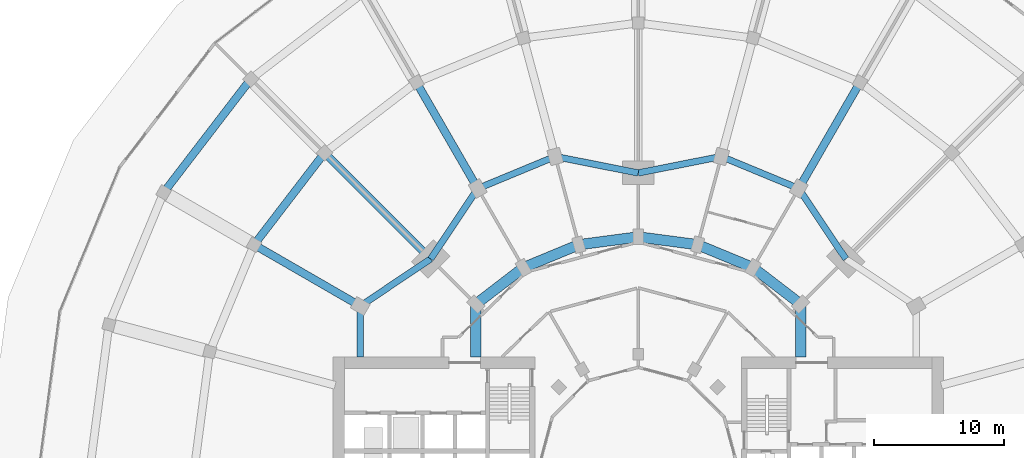
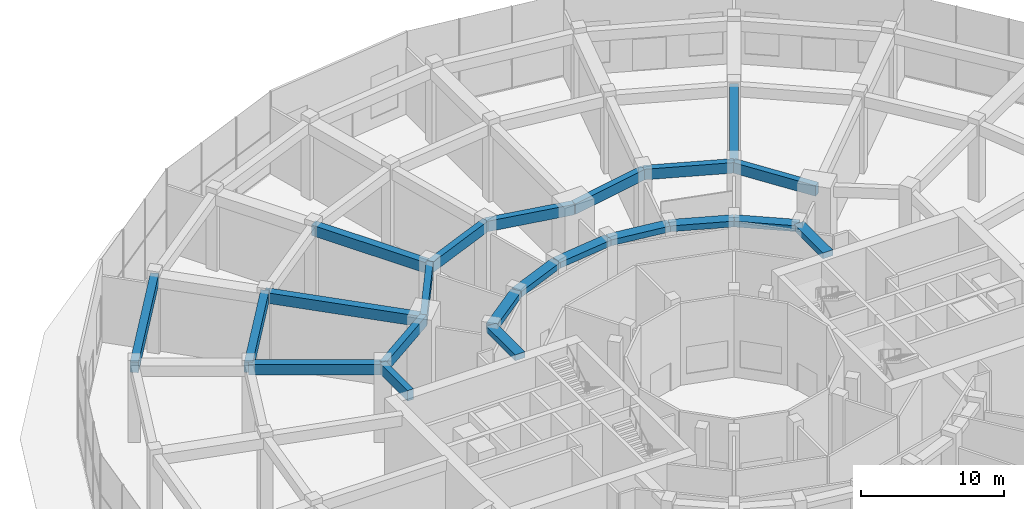
# One storey, part 12 of 31: 22 beams.
"""IFC4 building model written with IfcOpenShell, lengths in metres."""

from ifc_helpers import new_model, si_unit, direction, frame, origin, origin_2d, place, context, subcontext, project, spatial, rectangle, extrude, material, material_profile, profile_set, type_object, element, save


model = new_model("IFC4")

# Units and contexts
model_context = context("Model", 3, precision=1e-05, world=origin(), true_north=direction((0.0, 1.0)))
body_context = subcontext(model_context, "Body", "Model", "MODEL_VIEW")
ifc_project = project(units=[si_unit("LENGTHUNIT", "METRE"), si_unit("AREAUNIT", "SQUARE_METRE"), si_unit("VOLUMEUNIT", "CUBIC_METRE"), si_unit("PLANEANGLEUNIT", "RADIAN"), si_unit("MASSUNIT", "GRAM", prefix="KILO")], contexts=[model_context])

# Site, building, storey
site_placement = place(None, origin())
site = spatial("IfcSite", under=ifc_project, at=site_placement, CompositionType="ELEMENT")
building_placement = place(site_placement, origin())
building = spatial("IfcBuilding", under=site, at=building_placement, Name="Torre Brocal", CompositionType="ELEMENT")
storey_placement = place(building_placement, origin())
storey = spatial("IfcBuildingStorey", under=building, at=storey_placement, Name="L00", CompositionType="ELEMENT", Elevation=0.0)

# Beams
ifc_material_1 = material(Name="Concrete C50", Category="concrete")
ifc_material_profile_1 = material_profile(ifc_material_1, rectangle(XDim=0.60009765625, YDim=0.89990234375, at=origin_2d()), Name="RC 600X900")
ifc_profile_set_1 = profile_set([ifc_material_profile_1], Name="Concrete C50")
beam_type_1 = type_object("IfcBeamType", Name="RC BEAM 600X900 C50 TOP 6550", PredefinedType="BEAM", material=ifc_profile_set_1)
beam_1_placement = place(storey_placement, frame((50.301513671875, 104.698486328125, 6.10009765625), z_axis=(-0.608760122032, -0.793354343168, 0.0), x_axis=(0.793354343168, -0.608760122032, 0.0)))
element("IfcBeam", 1, at=beam_1_placement, inside=storey, type_object=beam_type_1, Name="Beam BT-07", PredefinedType="BEAM", context=body_context, shape_type="SweptSolid", body=[
    extrude(rectangle(XDim=0.60009765625, YDim=0.89990234375, at=origin_2d()), origin(), (0.0, 0.0, 1.0), 10.964111328125),
])
beam_2_placement = place(storey_placement, frame((55.958251953125, 99.041748046875, 6.10009765625), z_axis=(-0.608743902882, -0.793366788253, 0.0), x_axis=(0.793366788253, -0.608743902882, 0.0)))
element("IfcBeam", 2, at=beam_2_placement, inside=storey, type_object=beam_type_1, Name="Beam BT-07", PredefinedType="BEAM", context=body_context, shape_type="SweptSolid", body=[
    extrude(rectangle(XDim=0.60009765625, YDim=0.89990234375, at=origin_2d()), origin(), (0.0, 0.0, 1.0), 8.875732421875),
])
for number, where, z_axis, x_axis, name in (
    (3, (92.300048828125, 96.30419921875, 6.10009765625), (0.499996739618, 0.866027286158, 0.0), (-0.866027286158, 0.499996739618, 0.0), "Beam BT-07"),
    (4, (67.699951171875, 96.30419921875, 6.10009765625), (-0.499996739618, 0.866027286158, 0.0), (-0.866027286158, -0.499996739618, 0.0), "Beam BT-07"),
):
    element("IfcBeam", number, at=place(storey_placement, frame(where, z_axis=z_axis, x_axis=x_axis)), inside=storey, type_object=beam_type_1, Name=name, PredefinedType="BEAM", context=body_context, shape_type="SweptSolid", body=[
        extrude(rectangle(XDim=0.60009765625, YDim=0.89990234375, at=origin_2d()), origin(), (0.0, 0.0, 1.0), 9.39990234375),
    ])
beam_3_placement = place(storey_placement, frame((64.090087890625, 90.909912109375, 6.10009765625), z_axis=(-0.707106781187, 0.707106781187, 0.0), x_axis=(-0.707106781187, -0.707106781187, 0.0)))
element("IfcBeam", 5, at=beam_3_placement, inside=storey, type_object=beam_type_1, Name="Beam BT-07", PredefinedType="BEAM", context=body_context, shape_type="SweptSolid", body=[
    extrude(rectangle(XDim=0.60009765625, YDim=0.89990234375, at=origin_2d()), origin(), (0.0, 0.0, 1.0), 11.500244140625),
])
beam_4_placement = place(storey_placement, frame((58.69580078125, 87.300048828125, 6.10009765625), z_axis=(-0.866027286158, 0.499996739618, 0.0), x_axis=(-0.499996739618, -0.866027286158, 0.0)))
element("IfcBeam", 6, at=beam_4_placement, inside=storey, type_object=beam_type_1, Name="Beam BT-07", PredefinedType="BEAM", context=body_context, shape_type="SweptSolid", body=[
    extrude(rectangle(XDim=0.60009765625, YDim=0.89990234375, at=origin_2d()), origin(), (0.0, 0.0, 1.0), 9.39990234375),
])
ifc_material_2 = material(Name="Concrete C50", Category="concrete")
ifc_material_profile_2 = material_profile(ifc_material_2, rectangle(XDim=0.800048828125, YDim=0.5, at=origin_2d()), Name="RC 800X500")
ifc_profile_set_2 = profile_set([ifc_material_profile_2], Name="Concrete C50")
beam_type_2 = type_object("IfcBeamType", Name="RC BEAM 800X500 C50 TOP 6550", PredefinedType="BEAM", material=ifc_profile_set_2)
beam_5_placement = place(storey_placement, frame((92.445068359375, 87.445068359375, 6.300048828125), z_axis=(-0.793358265959, 0.6087550097, 0.0), x_axis=(-0.6087550097, -0.793358265959, 0.0)))
element("IfcBeam", 7, at=beam_5_placement, inside=storey, type_object=beam_type_2, Name="Beam BT-08", PredefinedType="BEAM", context=body_context, shape_type="SweptSolid", body=[
    extrude(rectangle(XDim=0.800048828125, YDim=0.5, at=origin_2d()), origin(), (0.0, 0.0, 1.0), 4.594482421875),
])
beam_6_placement = place(storey_placement, frame((88.800048828125, 90.241943359375, 6.300048828125), z_axis=(-0.923878240166, 0.382686552348, 0.0), x_axis=(-0.382686552348, -0.923878240166, 0.0)))
element("IfcBeam", 8, at=beam_6_placement, inside=storey, type_object=beam_type_2, Name="Beam BT-08", PredefinedType="BEAM", context=body_context, shape_type="SweptSolid", body=[
    extrude(rectangle(XDim=0.800048828125, YDim=0.5, at=origin_2d()), origin(), (0.0, 0.0, 1.0), 4.5947265625),
])
for number, where, z_axis, x_axis, name in (
    (9, (84.55517578125, 92.000244140625, 6.300048828125), (-0.991440544449, 0.130558978332, 0.0), (-0.130558978332, -0.991440544449, 0.0), "Beam BT-08"),
    (10, (80.0, 92.60009765625, 6.300048828125), (-0.991440544449, -0.130558978332, 0.0), (0.130558978332, -0.991440544449, 0.0), "Beam BT-08"),
):
    element("IfcBeam", number, at=place(storey_placement, frame(where, z_axis=z_axis, x_axis=x_axis)), inside=storey, type_object=beam_type_2, Name=name, PredefinedType="BEAM", context=body_context, shape_type="SweptSolid", body=[
        extrude(rectangle(XDim=0.800048828125, YDim=0.5, at=origin_2d()), origin(), (0.0, 0.0, 1.0), 4.594482421875),
    ])
beam_7_placement = place(storey_placement, frame((75.44482421875, 92.000244140625, 6.300048828125), z_axis=(-0.923878240166, -0.382686552348, 0.0), x_axis=(0.382686552348, -0.923878240166, 0.0)))
element("IfcBeam", 11, at=beam_7_placement, inside=storey, type_object=beam_type_2, Name="Beam BT-08", PredefinedType="BEAM", context=body_context, shape_type="SweptSolid", body=[
    extrude(rectangle(XDim=0.800048828125, YDim=0.5, at=origin_2d()), origin(), (0.0, 0.0, 1.0), 4.5947265625),
])
beam_8_placement = place(storey_placement, frame((71.199951171875, 90.241943359375, 6.300048828125), z_axis=(-0.793358265959, -0.6087550097, 0.0), x_axis=(0.6087550097, -0.793358265959, 0.0)))
element("IfcBeam", 12, at=beam_8_placement, inside=storey, type_object=beam_type_2, Name="Beam BT-08", PredefinedType="BEAM", context=body_context, shape_type="SweptSolid", body=[
    extrude(rectangle(XDim=0.800048828125, YDim=0.5, at=origin_2d()), origin(), (0.0, 0.0, 1.0), 4.594482421875),
])
for number, where, z_axis, x_axis, name in (
    (13, (67.554931640625, 87.445068359375, 6.300048828125), (0.0, -1.0, 0.0), (1.0, 0.0, 0.0), "Beam BT-08"),
    (14, (92.445068359375, 87.445068359375, 6.300048828125), (0.0, -1.0, 0.0), (1.0, 0.0, 0.0), "Beam BT-08"),
):
    element("IfcBeam", number, at=place(storey_placement, frame(where, z_axis=z_axis, x_axis=x_axis)), inside=storey, type_object=beam_type_2, Name=name, PredefinedType="BEAM", context=body_context, shape_type="SweptSolid", body=[
        extrude(rectangle(XDim=0.800048828125, YDim=0.5, at=origin_2d()), origin(), (0.0, 0.0, 1.0), 4.045166015625),
    ])
ifc_material_3 = material(Name="Concrete C50", Category="concrete")
ifc_material_profile_3 = material_profile(ifc_material_3, rectangle(XDim=0.5, YDim=0.89990234375, at=origin_2d()), Name="RC 500X900")
ifc_profile_set_3 = profile_set([ifc_material_profile_3], Name="Concrete C50")
beam_type_3 = type_object("IfcBeamType", Name="RC SPANDREL BEAM 500X900 C50 TOP 6550", PredefinedType="SPANDREL", material=ifc_profile_set_3)
beam_9_placement = place(storey_placement, frame((95.909912109375, 90.909912109375, 6.10009765625), z_axis=(-0.556157602282, 0.831076844476, 0.0), x_axis=(-0.831076844476, -0.556157602282, 0.0)))
element("IfcBeam", 15, at=beam_9_placement, inside=storey, type_object=beam_type_3, Name="Beam BT-09", PredefinedType="SPANDREL", context=body_context, shape_type="SweptSolid", body=[
    extrude(rectangle(XDim=0.5, YDim=0.89990234375, at=origin_2d()), origin(), (0.0, 0.0, 1.0), 6.49072265625),
])
beam_10_placement = place(storey_placement, frame((92.300048828125, 96.30419921875, 6.10009765625), z_axis=(-0.923882462513, 0.382676358639, 0.0), x_axis=(-0.382676358639, -0.923882462513, 0.0)))
element("IfcBeam", 16, at=beam_10_placement, inside=storey, type_object=beam_type_3, Name="Beam BT-09", PredefinedType="SPANDREL", context=body_context, shape_type="SweptSolid", body=[
    extrude(rectangle(XDim=0.5, YDim=0.89990234375, at=origin_2d()), origin(), (0.0, 0.0, 1.0), 6.421875),
])
for number, where, z_axis, x_axis, name in (
    (17, (86.366943359375, 98.76171875, 6.10009765625), (-0.980924907484, -0.194387051723, 0.0), (0.194387051723, -0.980924907484, 0.0), "Beam BT-09"),
    (18, (80.0, 97.5, 6.10009765625), (-0.980924907484, 0.194387051723, 0.0), (-0.194387051723, -0.980924907484, 0.0), "Beam BT-09"),
):
    element("IfcBeam", number, at=place(storey_placement, frame(where, z_axis=z_axis, x_axis=x_axis)), inside=storey, type_object=beam_type_3, Name=name, PredefinedType="SPANDREL", context=body_context, shape_type="SweptSolid", body=[
        extrude(rectangle(XDim=0.5, YDim=0.89990234375, at=origin_2d()), origin(), (0.0, 0.0, 1.0), 6.49072265625),
    ])
beam_11_placement = place(storey_placement, frame((73.633056640625, 98.76171875, 6.10009765625), z_axis=(-0.923882462513, -0.382676358639, 0.0), x_axis=(0.382676358639, -0.923882462513, 0.0)))
element("IfcBeam", 19, at=beam_11_placement, inside=storey, type_object=beam_type_3, Name="Beam BT-09", PredefinedType="SPANDREL", context=body_context, shape_type="SweptSolid", body=[
    extrude(rectangle(XDim=0.5, YDim=0.89990234375, at=origin_2d()), origin(), (0.0, 0.0, 1.0), 6.421875),
])
for number, where, z_axis, x_axis, name in (
    (20, (67.699951171875, 96.30419921875, 6.10009765625), (-0.556157602282, -0.831076844476, 0.0), (0.831076844476, -0.556157602282, 0.0), "Beam BT-09"),
    (21, (64.090087890625, 90.909912109375, 6.10009765625), (-0.831076844476, -0.556157602282, 0.0), (0.556157602282, -0.831076844476, 0.0), "Beam BT-09"),
):
    element("IfcBeam", number, at=place(storey_placement, frame(where, z_axis=z_axis, x_axis=x_axis)), inside=storey, type_object=beam_type_3, Name=name, PredefinedType="SPANDREL", context=body_context, shape_type="SweptSolid", body=[
        extrude(rectangle(XDim=0.5, YDim=0.89990234375, at=origin_2d()), origin(), (0.0, 0.0, 1.0), 6.49072265625),
    ])
beam_12_placement = place(storey_placement, frame((58.69580078125, 87.300048828125, 6.10009765625), z_axis=(0.0, -1.0, 0.0), x_axis=(1.0, 0.0, 0.0)))
element("IfcBeam", 22, at=beam_12_placement, inside=storey, type_object=beam_type_3, Name="Beam BT-09", PredefinedType="SPANDREL", context=body_context, shape_type="SweptSolid", body=[
    extrude(rectangle(XDim=0.5, YDim=0.89990234375, at=origin_2d()), origin(), (0.0, 0.0, 1.0), 3.900146484375),
])

save(model, "model.ifc")
